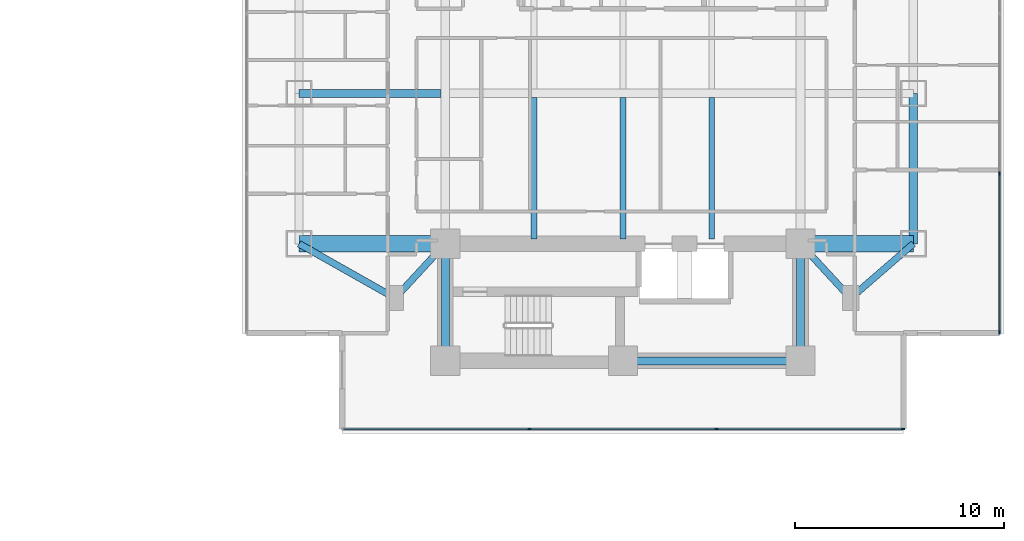
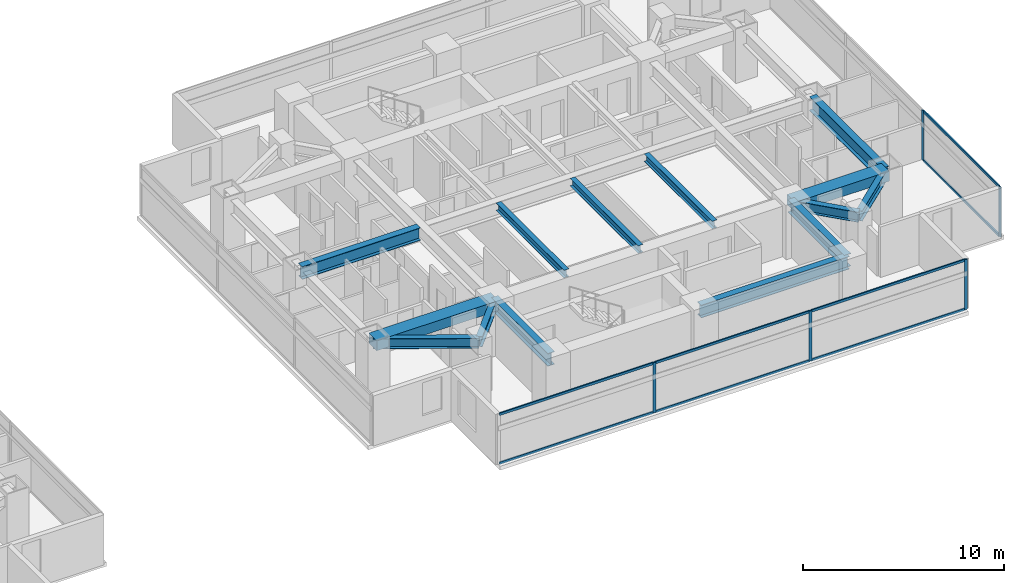
# One storey, part 8 of 26: 14 beams, 13 members, 2 elements without a shape of their own.
"""IFC4 building model written with IfcOpenShell, lengths in metres."""

from ifc_helpers import new_model, si_unit, direction, frame, origin, origin_2d, place, context, subcontext, project, spatial, rectangle, i_section, extrude, material, material_profile, profile_set, type_object, element, aggregate, save


model = new_model("IFC4")

# Units and contexts
model_context = context("Model", 3, precision=1e-05, world=origin(), true_north=direction((0.0, 1.0)))
body_context = subcontext(model_context, "Body", "Model", "MODEL_VIEW")
ifc_project = project(units=[si_unit("LENGTHUNIT", "METRE"), si_unit("AREAUNIT", "SQUARE_METRE"), si_unit("VOLUMEUNIT", "CUBIC_METRE"), si_unit("PLANEANGLEUNIT", "RADIAN"), si_unit("MASSUNIT", "GRAM", prefix="KILO")], contexts=[model_context])

# Site, building, storey
site_placement = place(None, origin())
site = spatial("IfcSite", under=ifc_project, at=site_placement, CompositionType="ELEMENT")
building_placement = place(site_placement, origin())
building = spatial("IfcBuilding", under=site, at=building_placement, Name="Mirazonda Arch Towers", CompositionType="ELEMENT")
storey_placement = place(building_placement, frame((0.0, 0.0, 25.699951171875)))
storey = spatial("IfcBuildingStorey", under=building, at=storey_placement, Name="L06", CompositionType="ELEMENT", Elevation=25.699951171875)

# Beams
ifc_material_1 = material(Name="Steel ASTM A992 Grade 50", Category="steel")
ifc_material_profile_1 = material_profile(ifc_material_1, i_section(OverallWidth=0.39990234375, OverallDepth=0.85595703125, WebThickness=0.018310546875, FlangeThickness=0.029296875, at=origin_2d()), Name="W33X201")
ifc_profile_set_1 = profile_set([ifc_material_profile_1], Name="Steel ASTM A992 Grade 50")
beam_type_1 = type_object("IfcBeamType", Name="BM-EXT-W33X201", PredefinedType="USERDEFINED", material=ifc_profile_set_1)
beam_1_placement = place(storey_placement, frame((90.39990234375, 20.800048828125, 2.632080078125), z_axis=(0.0, 1.0, 0.0), x_axis=(-1.0, 0.0, 0.0)))
element("IfcBeam", 1, at=beam_1_placement, inside=storey, type_object=beam_type_1, Name="L06 Floor Beam BM-T2-L06-NS-E-20", ObjectType="GIRDER", PredefinedType="USERDEFINED", context=body_context, shape_type="SweptSolid", body=[
    extrude(i_section(OverallWidth=0.39990234375, OverallDepth=0.85595703125, WebThickness=0.018310546875, FlangeThickness=0.029296875, at=origin_2d()), origin(), (0.0, 0.0, 1.0), 7.199951171875),
])
ifc_material_profile_2 = material_profile(ifc_material_1, i_section(OverallWidth=0.280029296875, OverallDepth=0.462890625, WebThickness=0.0107421875, FlangeThickness=0.017333984375, at=origin_2d()), Name="W18X76")
ifc_profile_set_2 = profile_set([ifc_material_profile_2], Name="Steel ASTM A992 Grade 50")
beam_type_2 = type_object("IfcBeamType", Name="BM-INT-W18X76", PredefinedType="JOIST", material=ifc_profile_set_2)
for number, where, z_axis, x_axis, name in (
    (2, (72.25, 21.0400390625, 2.82861328125), (0.0, 1.0, 0.0), (-1.0, 0.0, 0.0), "L06 Floor Beam BM-T2-L06-J-722-20"),
    (3, (76.5, 21.0400390625, 2.82861328125), (0.0, 1.0, 0.0), (-1.0, 0.0, 0.0), "L06 Floor Beam BM-T2-L06-J-765-20"),
    (4, (80.75, 21.0400390625, 2.82861328125), (0.0, 1.0, 0.0), (-1.0, 0.0, 0.0), "L06 Floor Beam BM-T2-L06-J-807-20"),
):
    element("IfcBeam", number, at=place(storey_placement, frame(where, z_axis=z_axis, x_axis=x_axis)), inside=storey, type_object=beam_type_2, Name=name, PredefinedType="JOIST", context=body_context, shape_type="SweptSolid", body=[
        extrude(i_section(OverallWidth=0.280029296875, OverallDepth=0.462890625, WebThickness=0.0107421875, FlangeThickness=0.017333984375, at=origin_2d()), origin(), (0.0, 0.0, 1.0), 6.7548828125),
    ])
ifc_material_profile_3 = material_profile(ifc_material_1, i_section(OverallWidth=0.324951171875, OverallDepth=0.615966796875, WebThickness=0.013916015625, FlangeThickness=0.021484375, at=origin_2d()), Name="W24X117")
ifc_profile_set_3 = profile_set([ifc_material_profile_3], Name="Steel ASTM A992 Grade 50")
beam_type_3 = type_object("IfcBeamType", Name="BM-INT-W24X117", PredefinedType="BEAM", material=ifc_profile_set_3)
beam_2_placement = place(storey_placement, frame((65.60009765625, 18.199951171875, 2.751953125), z_axis=(0.678251444854, 0.734829897019, 0.0), x_axis=(-0.734829897019, 0.678251444854, 0.0)))
element("IfcBeam", 5, at=beam_2_placement, inside=storey, type_object=beam_type_3, Name="L06 Floor Beam BM-T2-L06-PL-SW1", PredefinedType="BEAM", context=body_context, shape_type="SweptSolid", body=[
    extrude(i_section(OverallWidth=0.324951171875, OverallDepth=0.615966796875, WebThickness=0.013916015625, FlangeThickness=0.021484375, at=origin_2d()), origin(), (0.0, 0.0, 1.0), 3.538330078125),
])
beam_3_placement = place(storey_placement, frame((65.60009765625, 18.199951171875, 2.751953125), z_axis=(-0.870559396632, 0.492063346467, 0.0), x_axis=(-0.492063346467, -0.870559396632, 0.0)))
element("IfcBeam", 6, at=beam_3_placement, inside=storey, type_object=beam_type_3, Name="L06 Floor Beam BM-T2-L06-PL-SW2", PredefinedType="BEAM", context=body_context, shape_type="SweptSolid", body=[
    extrude(i_section(OverallWidth=0.324951171875, OverallDepth=0.615966796875, WebThickness=0.013916015625, FlangeThickness=0.021484375, at=origin_2d()), origin(), (0.0, 0.0, 1.0), 5.2841796875),
])
beam_4_placement = place(storey_placement, frame((87.39990234375, 18.199951171875, 2.751953125), z_axis=(-0.678251444854, 0.734829897019, 0.0), x_axis=(-0.734829897019, -0.678251444854, 0.0)))
element("IfcBeam", 7, at=beam_4_placement, inside=storey, type_object=beam_type_3, Name="L06 Floor Beam BM-T2-L06-PL-SE1", PredefinedType="BEAM", context=body_context, shape_type="SweptSolid", body=[
    extrude(i_section(OverallWidth=0.324951171875, OverallDepth=0.615966796875, WebThickness=0.013916015625, FlangeThickness=0.021484375, at=origin_2d()), origin(), (0.0, 0.0, 1.0), 3.538330078125),
])
beam_5_placement = place(storey_placement, frame((87.39990234375, 18.199951171875, 2.751953125), z_axis=(0.755676908098, 0.654944585876, 0.0), x_axis=(-0.654944585876, 0.755676908098, 0.0)))
element("IfcBeam", 8, at=beam_5_placement, inside=storey, type_object=beam_type_3, Name="L06 Floor Beam BM-T2-L06-PL-SE2", PredefinedType="BEAM", context=body_context, shape_type="SweptSolid", body=[
    extrude(i_section(OverallWidth=0.324951171875, OverallDepth=0.615966796875, WebThickness=0.013916015625, FlangeThickness=0.021484375, at=origin_2d()), origin(), (0.0, 0.0, 1.0), 3.969970703125),
])
ifc_material_profile_4 = material_profile(ifc_material_1, i_section(OverallWidth=0.381103515625, OverallDepth=0.77294921875, WebThickness=0.0166015625, FlangeThickness=0.027099609375, at=origin_2d()), Name="W30X173")
ifc_profile_set_4 = profile_set([ifc_material_profile_4], Name="Steel ASTM A992 Grade 50")
beam_type_4 = type_object("IfcBeamType", Name="BM-INT-W30X173", PredefinedType="USERDEFINED", material=ifc_profile_set_4)
beam_6_placement = place(storey_placement, frame((76.5, 15.199951171875, 2.673583984375), z_axis=(1.0, 0.0, 0.0), x_axis=(0.0, 1.0, 0.0)))
element("IfcBeam", 9, at=beam_6_placement, inside=storey, type_object=beam_type_4, Name="L06 Floor Beam BM-T2-L06-CS2", ObjectType="GIRDER", PredefinedType="USERDEFINED", context=body_context, shape_type="SweptSolid", body=[
    extrude(i_section(OverallWidth=0.381103515625, OverallDepth=0.77294921875, WebThickness=0.0166015625, FlangeThickness=0.027099609375, at=origin_2d()), origin(), (0.0, 0.0, 1.0), 8.5),
])
for number, where, z_axis, x_axis, name in (
    (10, (68.0, 15.199951171875, 2.673583984375), (0.0, 1.0, 0.0), (-1.0, 0.0, 0.0), "L06 Floor Beam BM-T2-L06-CSW"),
    (11, (85.0, 15.199951171875, 2.673583984375), (0.0, 1.0, 0.0), (-1.0, 0.0, 0.0), "L06 Floor Beam BM-T2-L06-CSE"),
):
    element("IfcBeam", number, at=place(storey_placement, frame(where, z_axis=z_axis, x_axis=x_axis)), inside=storey, type_object=beam_type_4, Name=name, ObjectType="GIRDER", PredefinedType="USERDEFINED", context=body_context, shape_type="SweptSolid", body=[
        extrude(i_section(OverallWidth=0.381103515625, OverallDepth=0.77294921875, WebThickness=0.0166015625, FlangeThickness=0.027099609375, at=origin_2d()), origin(), (0.0, 0.0, 1.0), 5.60009765625),
    ])
beam_7_placement = place(storey_placement, frame((61.0, 28.0, 2.673583984375), z_axis=(1.0, 0.0, 0.0), x_axis=(0.0, 1.0, 0.0)))
element("IfcBeam", 12, at=beam_7_placement, inside=storey, type_object=beam_type_4, Name="L06 Floor Beam BM-T2-L06-GW2", ObjectType="GIRDER", PredefinedType="USERDEFINED", context=body_context, shape_type="SweptSolid", body=[
    extrude(i_section(OverallWidth=0.381103515625, OverallDepth=0.77294921875, WebThickness=0.0166015625, FlangeThickness=0.027099609375, at=origin_2d()), origin(), (0.0, 0.0, 1.0), 6.791015625),
])
ifc_material_2 = material(Name="Concrete C60/75", Category="concrete")
ifc_material_profile_5 = material_profile(ifc_material_2, rectangle(XDim=0.800048828125, YDim=0.60009765625, at=origin_2d()), Name="RCCB800x600")
ifc_profile_set_5 = profile_set([ifc_material_profile_5], Name="Concrete C60/75")
beam_type_5 = type_object("IfcBeamType", Name="CB-INT-RCCB800x600", PredefinedType="SPANDREL", material=ifc_profile_set_5)
beam_8_placement = place(storey_placement, frame((61.0, 20.800048828125, 2.760009765625), z_axis=(1.0, 0.0, 0.0), x_axis=(0.0, 1.0, 0.0)))
element("IfcBeam", 13, at=beam_8_placement, inside=storey, type_object=beam_type_5, Name="L06 Floor Beam CBC-T2-L06-SW", PredefinedType="SPANDREL", context=body_context, shape_type="SweptSolid", body=[
    extrude(rectangle(XDim=0.800048828125, YDim=0.60009765625, at=origin_2d()), origin(), (0.0, 0.0, 1.0), 7.0),
])
beam_9_placement = place(storey_placement, frame((85.0, 20.800048828125, 2.760009765625), z_axis=(1.0, 0.0, 0.0), x_axis=(0.0, 1.0, 0.0)))
element("IfcBeam", 14, at=beam_9_placement, inside=storey, type_object=beam_type_5, Name="L06 Floor Beam CBC-T2-L06-SE", PredefinedType="SPANDREL", context=body_context, shape_type="SweptSolid", body=[
    extrude(rectangle(XDim=0.800048828125, YDim=0.60009765625, at=origin_2d()), origin(), (0.0, 0.0, 1.0), 5.39990234375),
])

# Curtain wall, members
ifc_material_3 = material(Name="Anodised Aluminium and Low-E Glass", Category="aluminium")
curtain_wall_type = type_object("IfcCurtainWallType", Name="CW-HTL-UNIT", PredefinedType="NOTDEFINED", material=ifc_material_3)
curtain_wall_1_placement = place(storey_placement, origin())
curtain_wall_1 = element("IfcCurtainWall", 15, at=curtain_wall_1_placement, inside=storey, type_object=curtain_wall_type, Name="L06 T2 S Facade CW-L06-T2-S", PredefinedType="NOTDEFINED")
ifc_material_4 = material(Name="Anodised Aluminium Alloy", Category="aluminium")
ifc_material_profile_6 = material_profile(ifc_material_4, rectangle(XDim=0.074951171875, YDim=0.1650390625, at=origin_2d()), Name="ALU-MULL-75x165")
ifc_profile_set_6 = profile_set([ifc_material_profile_6], Name="Anodised Aluminium Alloy")
member_type_1 = type_object("IfcMemberType", Name="MULL-CW-HTL-UNIT", PredefinedType="MULLION", material=ifc_profile_set_6)
member_1_placement = place(storey_placement, frame((89.900390625, 11.936767578125, 0.0), z_axis=(0.0, 0.0, 1.0), x_axis=(0.0, -1.0, 0.0)))
member_1 = element("IfcMember", 16, at=member_1_placement, type_object=member_type_1, Name="CW-112 mullion 1", PredefinedType="MULLION", context=body_context, shape_type="SweptSolid", body=[
    extrude(rectangle(XDim=0.074951171875, YDim=0.1650390625, at=origin_2d()), origin(), (0.0, 0.0, 1.0), 3.0400390625),
])
member_2_placement = place(storey_placement, frame((80.979248046875, 11.936767578125, 0.0), z_axis=(0.0, 0.0, 1.0), x_axis=(0.0, -1.0, 0.0)))
member_2 = element("IfcMember", 17, at=member_2_placement, type_object=member_type_1, Name="CW-112 mullion 2", PredefinedType="MULLION", context=body_context, shape_type="SweptSolid", body=[
    extrude(rectangle(XDim=0.074951171875, YDim=0.1650390625, at=origin_2d()), origin(), (0.0, 0.0, 1.0), 3.0400390625),
])
member_3_placement = place(storey_placement, frame((72.020751953125, 11.936767578125, 0.0), z_axis=(0.0, 0.0, 1.0), x_axis=(0.0, -1.0, 0.0)))
member_3 = element("IfcMember", 18, at=member_3_placement, type_object=member_type_1, Name="CW-112 mullion 3", PredefinedType="MULLION", context=body_context, shape_type="SweptSolid", body=[
    extrude(rectangle(XDim=0.074951171875, YDim=0.1650390625, at=origin_2d()), origin(), (0.0, 0.0, 1.0), 3.0400390625),
])

curtain_wall_2_placement = place(storey_placement, origin())
curtain_wall_2 = element("IfcCurtainWall", 19, at=curtain_wall_2_placement, inside=storey, type_object=curtain_wall_type, Name="L06 T2 E Facade CW-L06-T2-E", PredefinedType="NOTDEFINED")
member_4_placement = place(storey_placement, frame((94.51806640625, 16.55419921875, 0.0), z_axis=(0.0, 0.0, 1.0), x_axis=(-1.0, 0.0, 0.0)))
member_4 = element("IfcMember", 20, at=member_4_placement, type_object=member_type_1, Name="CW-112 mullion 1", PredefinedType="MULLION", context=body_context, shape_type="SweptSolid", body=[
    extrude(rectangle(XDim=0.074951171875, YDim=0.1650390625, at=origin_2d()), origin(), (0.0, 0.0, 1.0), 3.0400390625),
])
member_5_placement = place(storey_placement, frame((94.51806640625, 24.172119140625, 0.0), z_axis=(0.0, 0.0, 1.0), x_axis=(-1.0, 0.0, 0.0)))
member_5 = element("IfcMember", 21, at=member_5_placement, type_object=member_type_1, Name="CW-112 mullion 2", PredefinedType="MULLION", context=body_context, shape_type="SweptSolid", body=[
    extrude(rectangle(XDim=0.074951171875, YDim=0.1650390625, at=origin_2d()), origin(), (0.0, 0.0, 1.0), 3.0400390625),
])

# Member
ifc_material_profile_7 = material_profile(ifc_material_4, rectangle(XDim=0.074951171875, YDim=0.14501953125, at=origin_2d()), Name="ALU-TRAN-75x145")
ifc_profile_set_7 = profile_set([ifc_material_profile_7], Name="Anodised Aluminium Alloy")
member_type_2 = type_object("IfcMemberType", Name="TRAN-CW-HTL-UNIT", PredefinedType="USERDEFINED", material=ifc_profile_set_7)
member_6_placement = place(storey_placement, frame((89.863037109375, 11.936767578125, 0.03759765625), z_axis=(-1.0, 0.0, 0.0), x_axis=(0.0, -1.0, 0.0)))
member_6 = element("IfcMember", 22, at=member_6_placement, type_object=member_type_2, Name="CW-112 transom 1.1", ObjectType="TRANSOM", PredefinedType="USERDEFINED", context=body_context, shape_type="SweptSolid", body=[
    extrude(rectangle(XDim=0.074951171875, YDim=0.14501953125, at=origin_2d()), origin(), (0.0, 0.0, 1.0), 8.84619140625),
])

member_7_placement = place(storey_placement, frame((89.863037109375, 11.936767578125, 3.00244140625), z_axis=(-1.0, 0.0, 0.0), x_axis=(0.0, -1.0, 0.0)))
member_7 = element("IfcMember", 23, at=member_7_placement, type_object=member_type_2, Name="CW-112 transom 1.2", ObjectType="TRANSOM", PredefinedType="USERDEFINED", context=body_context, shape_type="SweptSolid", body=[
    extrude(rectangle(XDim=0.074951171875, YDim=0.14501953125, at=origin_2d()), origin(), (0.0, 0.0, 1.0), 8.84619140625),
])

member_8_placement = place(storey_placement, frame((80.94189453125, 11.936767578125, 0.03759765625), z_axis=(-1.0, 0.0, 0.0), x_axis=(0.0, -1.0, 0.0)))
member_8 = element("IfcMember", 24, at=member_8_placement, type_object=member_type_2, Name="CW-112 transom 2.1", ObjectType="TRANSOM", PredefinedType="USERDEFINED", context=body_context, shape_type="SweptSolid", body=[
    extrude(rectangle(XDim=0.074951171875, YDim=0.14501953125, at=origin_2d()), origin(), (0.0, 0.0, 1.0), 8.8837890625),
])

member_9_placement = place(storey_placement, frame((80.94189453125, 11.936767578125, 3.00244140625), z_axis=(-1.0, 0.0, 0.0), x_axis=(0.0, -1.0, 0.0)))
member_9 = element("IfcMember", 25, at=member_9_placement, type_object=member_type_2, Name="CW-112 transom 2.2", ObjectType="TRANSOM", PredefinedType="USERDEFINED", context=body_context, shape_type="SweptSolid", body=[
    extrude(rectangle(XDim=0.074951171875, YDim=0.14501953125, at=origin_2d()), origin(), (0.0, 0.0, 1.0), 8.8837890625),
])

member_10_placement = place(storey_placement, frame((71.983154296875, 11.936767578125, 0.03759765625), z_axis=(-1.0, 0.0, 0.0), x_axis=(0.0, -1.0, 0.0)))
member_10 = element("IfcMember", 26, at=member_10_placement, type_object=member_type_2, Name="CW-112 transom 3.1", ObjectType="TRANSOM", PredefinedType="USERDEFINED", context=body_context, shape_type="SweptSolid", body=[
    extrude(rectangle(XDim=0.074951171875, YDim=0.14501953125, at=origin_2d()), origin(), (0.0, 0.0, 1.0), 8.84619140625),
])

member_11_placement = place(storey_placement, frame((71.983154296875, 11.936767578125, 3.00244140625), z_axis=(-1.0, 0.0, 0.0), x_axis=(0.0, -1.0, 0.0)))
member_11 = element("IfcMember", 27, at=member_11_placement, type_object=member_type_2, Name="CW-112 transom 3.2", ObjectType="TRANSOM", PredefinedType="USERDEFINED", context=body_context, shape_type="SweptSolid", body=[
    extrude(rectangle(XDim=0.074951171875, YDim=0.14501953125, at=origin_2d()), origin(), (0.0, 0.0, 1.0), 8.84619140625),
])

aggregate(curtain_wall_1, [member_1, member_2, member_3, member_6, member_7, member_8, member_9, member_10, member_11])

member_12_placement = place(storey_placement, frame((94.51806640625, 16.591796875, 0.03759765625), z_axis=(0.0, 1.0, 0.0), x_axis=(-1.0, 0.0, 0.0)))
member_12 = element("IfcMember", 28, at=member_12_placement, type_object=member_type_2, Name="CW-112 transom 1.1", ObjectType="TRANSOM", PredefinedType="USERDEFINED", context=body_context, shape_type="SweptSolid", body=[
    extrude(rectangle(XDim=0.074951171875, YDim=0.14501953125, at=origin_2d()), origin(), (0.0, 0.0, 1.0), 7.54296875),
])

member_13_placement = place(storey_placement, frame((94.51806640625, 16.591796875, 3.00244140625), z_axis=(0.0, 1.0, 0.0), x_axis=(-1.0, 0.0, 0.0)))
member_13 = element("IfcMember", 29, at=member_13_placement, type_object=member_type_2, Name="CW-112 transom 1.2", ObjectType="TRANSOM", PredefinedType="USERDEFINED", context=body_context, shape_type="SweptSolid", body=[
    extrude(rectangle(XDim=0.074951171875, YDim=0.14501953125, at=origin_2d()), origin(), (0.0, 0.0, 1.0), 7.54296875),
])

aggregate(curtain_wall_2, [member_4, member_5, member_12, member_13])

save(model, "model.ifc")
